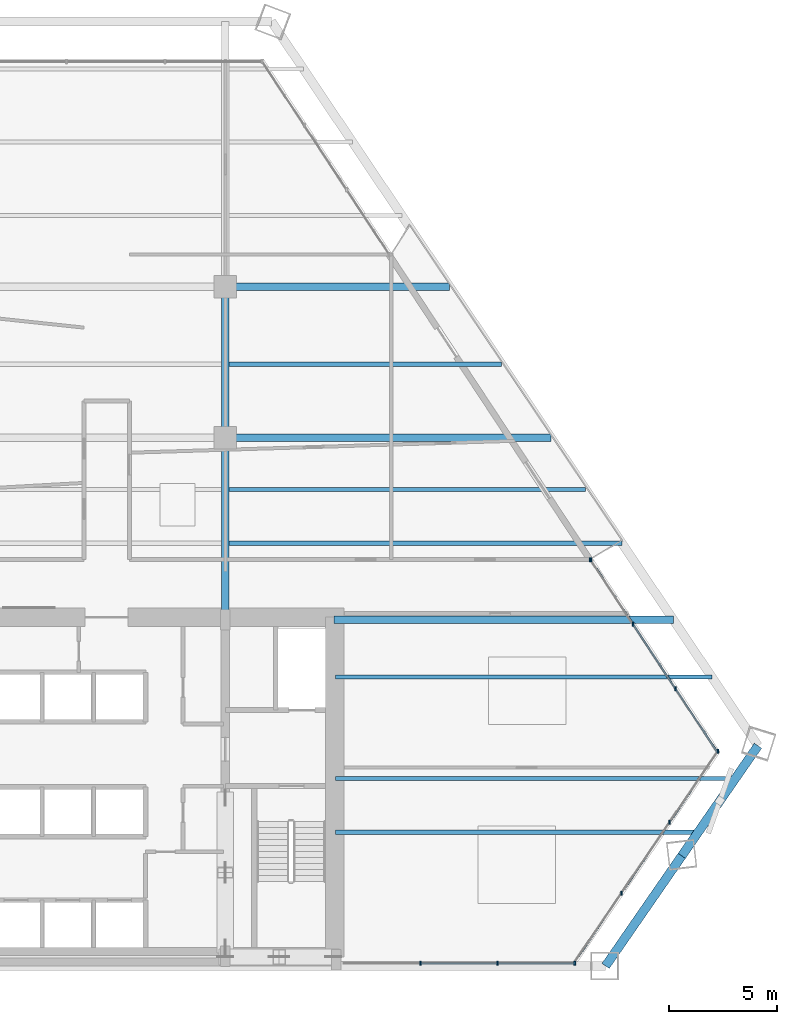
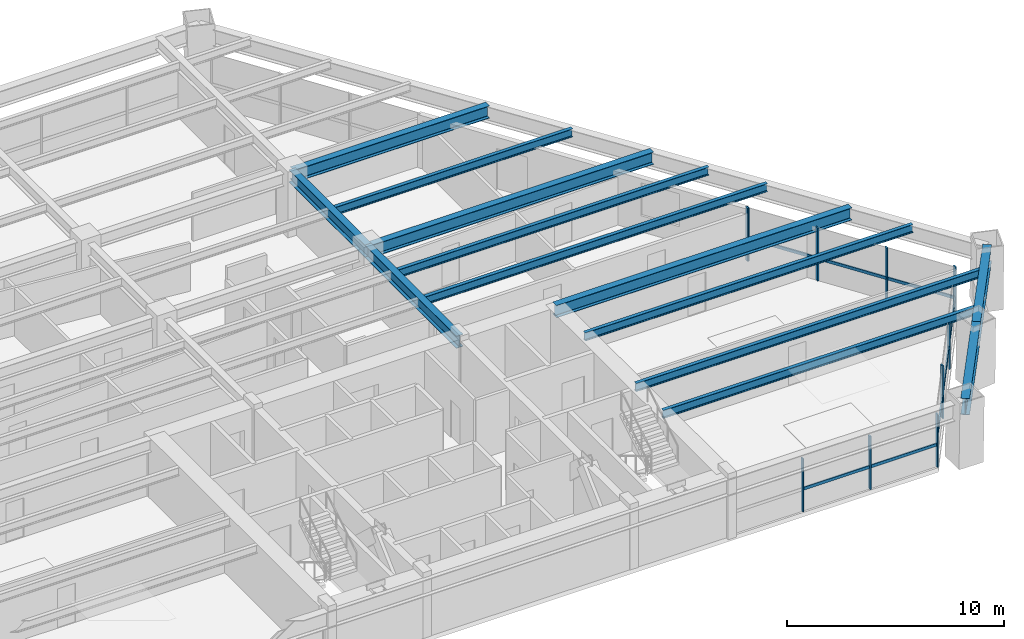
# One storey, part 6 of 14: 18 members, 13 beams, 3 elements without a shape of their own.
"""IFC4 building model written with IfcOpenShell, lengths in metres."""

from ifc_helpers import new_model, si_unit, direction, frame, origin, origin_2d, place, context, subcontext, project, spatial, rectangle, i_section, extrude, source, transform, mapped, material, material_profile, profile_set, type_object, type_shapes, element, aggregate, save


model = new_model("IFC4")

# Units and contexts
model_context = context("Model", 3, precision=1e-05, world=origin(), true_north=direction((0.0, 1.0)))
body_context = subcontext(model_context, "Body", "Model", "MODEL_VIEW")
ifc_project = project(units=[si_unit("LENGTHUNIT", "METRE"), si_unit("AREAUNIT", "SQUARE_METRE"), si_unit("VOLUMEUNIT", "CUBIC_METRE"), si_unit("PLANEANGLEUNIT", "RADIAN"), si_unit("MASSUNIT", "GRAM", prefix="KILO")], contexts=[model_context])

# Site, building, storey
site_placement = place(None, origin())
site = spatial("IfcSite", under=ifc_project, at=site_placement, CompositionType="ELEMENT")
building_placement = place(site_placement, origin())
building = spatial("IfcBuilding", under=site, at=building_placement, Name="Varnakhor Terracotta Tower", CompositionType="ELEMENT")
storey_placement = place(building_placement, frame((0.0, 0.0, 68.199951171875)))
storey = spatial("IfcBuildingStorey", under=building, at=storey_placement, Name="L16", CompositionType="ELEMENT", Elevation=68.199951171875)

# Beams
ifc_material_1 = material(Name="Steel S355", Category="steel")
ifc_material_profile_1 = material_profile(ifc_material_1, i_section(OverallWidth=0.35498046875, OverallDepth=0.695068359375, WebThickness=0.014892578125, FlangeThickness=0.02490234375, FilletRadius=0.01806640625, at=origin_2d()), Name="W27X146")
ifc_profile_set_1 = profile_set([ifc_material_profile_1], Name="Steel S355")
beam_type_1 = type_object("IfcBeamType", Name="BM-W27X146", PredefinedType="BEAM", material=ifc_profile_set_1)
shared_shape_1 = source(origin(), body_context, "Body", "SweptSolid", [
    extrude(i_section(OverallWidth=0.35498046875, OverallDepth=0.695068359375, WebThickness=0.014892578125, FlangeThickness=0.02490234375, FilletRadius=0.01806640625, at=origin_2d()), origin(), (0.0, 0.0, 1.0), 8.449951171875),
])
type_shapes(beam_type_1, [shared_shape_1])
beam_1_placement = place(storey_placement, frame((5.5, 16.050048828125, 3.052490234375), z_axis=(0.0, 1.0, 0.0), x_axis=(-1.0, 0.0, 0.0)))
element("IfcBeam", 1, at=beam_1_placement, inside=storey, type_object=beam_type_1, Name="L16 Primary Girder NS1-E", PredefinedType="BEAM", context=body_context, shape_type="MappedRepresentation", body=[
    mapped(shared_shape_1, transform((0.0, 0.0, 0.0), scale=1.0)),
])
shared_shape_2 = source(origin(), body_context, "Body", "SweptSolid", [
    extrude(i_section(OverallWidth=0.35498046875, OverallDepth=0.695068359375, WebThickness=0.014892578125, FlangeThickness=0.02490234375, FilletRadius=0.01806640625, at=origin_2d()), origin(), (0.0, 0.0, 1.0), 7.0),
])
beam_2_placement = place(storey_placement, frame((5.5, 24.5, 3.052490234375), z_axis=(0.0, 1.0, 0.0), x_axis=(-1.0, 0.0, 0.0)))
element("IfcBeam", 2, at=beam_2_placement, inside=storey, type_object=beam_type_1, Name="L16 Primary Girder NS2-E", PredefinedType="BEAM", context=body_context, shape_type="MappedRepresentation", body=[
    mapped(shared_shape_2, transform((0.0, 0.0, 0.0), scale=1.0)),
])
ifc_material_profile_2 = material_profile(ifc_material_1, i_section(OverallWidth=0.41796875, OverallDepth=0.927001953125, WebThickness=0.01904296875, FlangeThickness=0.031982421875, FilletRadius=0.01806640625, at=origin_2d()), Name="W36X231")
ifc_profile_set_2 = profile_set([ifc_material_profile_2], Name="Steel S355")
beam_type_2 = type_object("IfcBeamType", Name="BM-W36X231", PredefinedType="BEAM", material=ifc_profile_set_2)
shared_shape_3 = source(origin(), body_context, "Body", "SweptSolid", [
    extrude(i_section(OverallWidth=0.41796875, OverallDepth=0.927001953125, WebThickness=0.01904296875, FlangeThickness=0.031982421875, FilletRadius=0.01806640625, at=origin_2d()), origin(), (0.0, 0.0, 1.0), 6.20849609375),
])
beam_3_placement = place(storey_placement, frame((23.135009765625, 0.0, 2.9365234375), z_axis=(0.569054561045, 0.822299766845, 0.0), x_axis=(-0.822299766845, 0.569054561045, 0.0)))
element("IfcBeam", 3, at=beam_3_placement, inside=storey, type_object=beam_type_2, Name="L16 Perimeter Spandrel 2", PredefinedType="BEAM", context=body_context, shape_type="MappedRepresentation", body=[
    mapped(shared_shape_3, transform((0.0, 0.0, 0.0), scale=1.0)),
])
shared_shape_4 = source(origin(), body_context, "Body", "SweptSolid", [
    extrude(i_section(OverallWidth=0.41796875, OverallDepth=0.927001953125, WebThickness=0.01904296875, FlangeThickness=0.031982421875, FilletRadius=0.01806640625, at=origin_2d()), origin(), (0.0, 0.0, 1.0), 6.208251953125),
])
beam_4_placement = place(storey_placement, frame((26.66796875, 5.105224609375, 2.9365234375), z_axis=(0.569046371646, 0.822305434079, 0.0), x_axis=(-0.822305434079, 0.569046371646, 0.0)))
element("IfcBeam", 4, at=beam_4_placement, inside=storey, type_object=beam_type_2, Name="L16 Perimeter Spandrel 3", PredefinedType="BEAM", context=body_context, shape_type="MappedRepresentation", body=[
    mapped(shared_shape_4, transform((0.0, 0.0, 0.0), scale=1.0)),
])
shared_shape_5 = source(origin(), body_context, "Body", "SweptSolid", [
    extrude(i_section(OverallWidth=0.35498046875, OverallDepth=0.695068359375, WebThickness=0.014892578125, FlangeThickness=0.02490234375, FilletRadius=0.01806640625, at=origin_2d()), origin(), (0.0, 0.0, 1.0), 15.728759765625),
])
beam_5_placement = place(storey_placement, frame((10.550048828125, 16.050048828125, 3.052490234375), z_axis=(1.0, 0.0, 0.0), x_axis=(0.0, 1.0, 0.0)))
element("IfcBeam", 5, at=beam_5_placement, inside=storey, type_object=beam_type_1, Name="L16 Wing Girder E", PredefinedType="BEAM", context=body_context, shape_type="MappedRepresentation", body=[
    mapped(shared_shape_5, transform((0.0, 0.0, 0.0), scale=1.0)),
])
shared_shape_6 = source(origin(), body_context, "Body", "SweptSolid", [
    extrude(i_section(OverallWidth=0.35498046875, OverallDepth=0.695068359375, WebThickness=0.014892578125, FlangeThickness=0.02490234375, FilletRadius=0.01806640625, at=origin_2d()), origin(), (0.0, 0.0, 1.0), 15.103515625),
])
beam_6_placement = place(storey_placement, frame((5.5, 24.5, 3.052490234375), z_axis=(1.0, 0.0, 0.0), x_axis=(0.0, 1.0, 0.0)))
element("IfcBeam", 6, at=beam_6_placement, inside=storey, type_object=beam_type_1, Name="L16 Primary Girder EW2-3", PredefinedType="BEAM", context=body_context, shape_type="MappedRepresentation", body=[
    mapped(shared_shape_6, transform((0.0, 0.0, 0.0), scale=1.0)),
])
shared_shape_7 = source(origin(), body_context, "Body", "SweptSolid", [
    extrude(i_section(OverallWidth=0.35498046875, OverallDepth=0.695068359375, WebThickness=0.014892578125, FlangeThickness=0.02490234375, FilletRadius=0.01806640625, at=origin_2d()), origin(), (0.0, 0.0, 1.0), 10.402099609375),
])
beam_7_placement = place(storey_placement, frame((5.5, 31.5, 3.052490234375), z_axis=(1.0, 0.0, 0.0), x_axis=(0.0, 1.0, 0.0)))
element("IfcBeam", 7, at=beam_7_placement, inside=storey, type_object=beam_type_1, Name="L16 Primary Girder EW3-3", PredefinedType="BEAM", context=body_context, shape_type="MappedRepresentation", body=[
    mapped(shared_shape_7, transform((0.0, 0.0, 0.0), scale=1.0)),
])
ifc_material_profile_3 = material_profile(ifc_material_1, i_section(OverallWidth=0.19189453125, OverallDepth=0.462890625, WebThickness=0.010498046875, FlangeThickness=0.017578125, FilletRadius=0.01806640625, at=origin_2d()), Name="W18X60")
ifc_profile_set_3 = profile_set([ifc_material_profile_3], Name="Steel S355")
beam_type_3 = type_object("IfcBeamType", Name="JST-W18X60", PredefinedType="JOIST", material=ifc_profile_set_3)
shared_shape_8 = source(origin(), body_context, "Body", "SweptSolid", [
    extrude(i_section(OverallWidth=0.19189453125, OverallDepth=0.462890625, WebThickness=0.010498046875, FlangeThickness=0.017578125, FilletRadius=0.01806640625, at=origin_2d()), origin(), (0.0, 0.0, 1.0), 16.825439453125),
])
beam_8_placement = place(storey_placement, frame((10.60009765625, 6.199951171875, 3.16845703125), z_axis=(1.0, 0.0, 0.0), x_axis=(0.0, 1.0, 0.0)))
element("IfcBeam", 8, at=beam_8_placement, inside=storey, type_object=beam_type_3, Name="L16 Floor Joist E1", PredefinedType="JOIST", context=body_context, shape_type="MappedRepresentation", body=[
    mapped(shared_shape_8, transform((0.0, 0.0, 0.0), scale=1.0)),
])
shared_shape_9 = source(origin(), body_context, "Body", "SweptSolid", [
    extrude(i_section(OverallWidth=0.19189453125, OverallDepth=0.462890625, WebThickness=0.010498046875, FlangeThickness=0.017578125, FilletRadius=0.01806640625, at=origin_2d()), origin(), (0.0, 0.0, 1.0), 18.5556640625),
])
beam_9_placement = place(storey_placement, frame((10.60009765625, 8.699951171875, 3.16845703125), z_axis=(1.0, 0.0, 0.0), x_axis=(0.0, 1.0, 0.0)))
element("IfcBeam", 9, at=beam_9_placement, inside=storey, type_object=beam_type_3, Name="L16 Floor Joist E2", PredefinedType="JOIST", context=body_context, shape_type="MappedRepresentation", body=[
    mapped(shared_shape_9, transform((0.0, 0.0, 0.0), scale=1.0)),
])
shared_shape_10 = source(origin(), body_context, "Body", "SweptSolid", [
    extrude(i_section(OverallWidth=0.19189453125, OverallDepth=0.462890625, WebThickness=0.010498046875, FlangeThickness=0.017578125, FilletRadius=0.01806640625, at=origin_2d()), origin(), (0.0, 0.0, 1.0), 17.45849609375),
])
beam_10_placement = place(storey_placement, frame((10.60009765625, 13.39990234375, 3.16845703125), z_axis=(1.0, 0.0, 0.0), x_axis=(0.0, 1.0, 0.0)))
element("IfcBeam", 10, at=beam_10_placement, inside=storey, type_object=beam_type_3, Name="L16 Floor Joist E3", PredefinedType="JOIST", context=body_context, shape_type="MappedRepresentation", body=[
    mapped(shared_shape_10, transform((0.0, 0.0, 0.0), scale=1.0)),
])
shared_shape_11 = source(origin(), body_context, "Body", "SweptSolid", [
    extrude(i_section(OverallWidth=0.19189453125, OverallDepth=0.462890625, WebThickness=0.010498046875, FlangeThickness=0.017578125, FilletRadius=0.01806640625, at=origin_2d()), origin(), (0.0, 0.0, 1.0), 18.220947265625),
])
beam_11_placement = place(storey_placement, frame((5.673583984375, 19.60009765625, 3.16845703125), z_axis=(1.0, 0.0, 0.0), x_axis=(0.0, 1.0, 0.0)))
element("IfcBeam", 11, at=beam_11_placement, inside=storey, type_object=beam_type_3, Name="L16 Composite Floor Joist 4-3", PredefinedType="JOIST", context=body_context, shape_type="MappedRepresentation", body=[
    mapped(shared_shape_11, transform((0.0, 0.0, 0.0), scale=1.0)),
])
shared_shape_12 = source(origin(), body_context, "Body", "SweptSolid", [
    extrude(i_section(OverallWidth=0.19189453125, OverallDepth=0.462890625, WebThickness=0.010498046875, FlangeThickness=0.017578125, FilletRadius=0.01806640625, at=origin_2d()), origin(), (0.0, 0.0, 1.0), 16.541748046875),
])
beam_12_placement = place(storey_placement, frame((5.673583984375, 22.10009765625, 3.16845703125), z_axis=(1.0, 0.0, 0.0), x_axis=(0.0, 1.0, 0.0)))
element("IfcBeam", 12, at=beam_12_placement, inside=storey, type_object=beam_type_3, Name="L16 Composite Floor Joist 5-3", PredefinedType="JOIST", context=body_context, shape_type="MappedRepresentation", body=[
    mapped(shared_shape_12, transform((0.0, 0.0, 0.0), scale=1.0)),
])
shared_shape_13 = source(origin(), body_context, "Body", "SweptSolid", [
    extrude(i_section(OverallWidth=0.19189453125, OverallDepth=0.462890625, WebThickness=0.010498046875, FlangeThickness=0.017578125, FilletRadius=0.01806640625, at=origin_2d()), origin(), (0.0, 0.0, 1.0), 12.646484375),
])
beam_13_placement = place(storey_placement, frame((5.673583984375, 27.89990234375, 3.16845703125), z_axis=(1.0, 0.0, 0.0), x_axis=(0.0, 1.0, 0.0)))
element("IfcBeam", 13, at=beam_13_placement, inside=storey, type_object=beam_type_3, Name="L16 Composite Floor Joist 6-3", PredefinedType="JOIST", context=body_context, shape_type="MappedRepresentation", body=[
    mapped(shared_shape_13, transform((0.0, 0.0, 0.0), scale=1.0)),
])

# Curtain wall, members
ifc_material_2 = material(Name="Anodised Aluminium Curtain Wall System", Category="aluminium")
curtain_wall_type = type_object("IfcCurtainWallType", Name="CW-SYS-LOW-OFFICE", PredefinedType="NOTDEFINED", material=ifc_material_2)
curtain_wall_1_placement = place(storey_placement, origin())
curtain_wall_1 = element("IfcCurtainWall", 14, at=curtain_wall_1_placement, inside=storey, type_object=curtain_wall_type, Name="L16 E Facet Curtain Wall 2", PredefinedType="NOTDEFINED")
ifc_material_3 = material(Name="Anodised Aluminium 6063-T6", Category="aluminium")
ifc_material_profile_4 = material_profile(ifc_material_3, rectangle(XDim=0.074951171875, YDim=0.18505859375, at=origin_2d()), Name="ALU MULLION 75x185")
ifc_profile_set_4 = profile_set([ifc_material_profile_4], Name="Anodised Aluminium 6063-T6")
member_type_1 = type_object("IfcMemberType", Name="CWM-02", PredefinedType="MULLION", material=ifc_profile_set_4)
shared_shape_14 = source(origin(), body_context, "Body", "SweptSolid", [
    extrude(rectangle(XDim=0.074951171875, YDim=0.18505859375, at=origin_2d()), origin(), (0.0, 0.0, 1.0), 2.97998046875),
])
member_1_placement = place(storey_placement, frame((22.44482421875, 18.82666015625, 0.0), z_axis=(0.0, 0.0, 1.0), x_axis=(1.0, 0.0, 0.0)))
member_1 = element("IfcMember", 15, at=member_1_placement, type_object=member_type_1, Name="L16 E Facet Curtain Wall 2 Mullion 1", PredefinedType="MULLION", context=body_context, shape_type="MappedRepresentation", body=[
    mapped(shared_shape_14, transform((0.0, 0.0, 0.0), scale=1.0)),
])
member_2_placement = place(storey_placement, frame((24.40966796875, 15.84521484375, 0.0), z_axis=(0.0, 0.0, 1.0), x_axis=(1.0, 0.0, 0.0)))
member_2 = element("IfcMember", 16, at=member_2_placement, type_object=member_type_1, Name="L16 E Facet Curtain Wall 2 Mullion 2", PredefinedType="MULLION", context=body_context, shape_type="MappedRepresentation", body=[
    mapped(shared_shape_14, transform((0.0, 0.0, 0.0), scale=1.0)),
])
member_3_placement = place(storey_placement, frame((26.374267578125, 12.86376953125, 0.0), z_axis=(0.0, 0.0, 1.0), x_axis=(1.0, 0.0, 0.0)))
member_3 = element("IfcMember", 17, at=member_3_placement, type_object=member_type_1, Name="L16 E Facet Curtain Wall 2 Mullion 3", PredefinedType="MULLION", context=body_context, shape_type="MappedRepresentation", body=[
    mapped(shared_shape_14, transform((0.0, 0.0, 0.0), scale=1.0)),
])
member_4_placement = place(storey_placement, frame((22.41162109375, 18.8408203125, 0.0), z_axis=(0.0, 0.0, 1.0), x_axis=(1.0, 0.0, 0.0)))
member_4 = element("IfcMember", 18, at=member_4_placement, type_object=member_type_1, Name="L16 E Loggia Jamb Closure Mullion 2", PredefinedType="MULLION", context=body_context, shape_type="MappedRepresentation", body=[
    mapped(shared_shape_14, transform((0.0, 0.0, 0.0), scale=1.0)),
])

curtain_wall_2_placement = place(storey_placement, origin())
curtain_wall_2 = element("IfcCurtainWall", 19, at=curtain_wall_2_placement, inside=storey, type_object=curtain_wall_type, Name="L16 Facet Curtain Wall 4", PredefinedType="NOTDEFINED")
member_5_placement = place(storey_placement, frame((28.339599609375, 9.9658203125, 0.0), z_axis=(0.0, 0.0, 1.0), x_axis=(1.0, 0.0, 0.0)))
member_5 = element("IfcMember", 20, at=member_5_placement, type_object=member_type_1, Name="L16 Facet Curtain Wall 4 Mullion 1", PredefinedType="MULLION", context=body_context, shape_type="MappedRepresentation", body=[
    mapped(shared_shape_14, transform((0.0, 0.0, 0.0), scale=1.0)),
])
member_6_placement = place(storey_placement, frame((26.10498046875, 6.674560546875, 0.0), z_axis=(0.0, 0.0, 1.0), x_axis=(1.0, 0.0, 0.0)))
member_6 = element("IfcMember", 21, at=member_6_placement, type_object=member_type_1, Name="L16 Facet Curtain Wall 4 Mullion 2", PredefinedType="MULLION", context=body_context, shape_type="MappedRepresentation", body=[
    mapped(shared_shape_14, transform((0.0, 0.0, 0.0), scale=1.0)),
])
member_7_placement = place(storey_placement, frame((23.8701171875, 3.38330078125, 0.0), z_axis=(0.0, 0.0, 1.0), x_axis=(1.0, 0.0, 0.0)))
member_7 = element("IfcMember", 22, at=member_7_placement, type_object=member_type_1, Name="L16 Facet Curtain Wall 4 Mullion 3", PredefinedType="MULLION", context=body_context, shape_type="MappedRepresentation", body=[
    mapped(shared_shape_14, transform((0.0, 0.0, 0.0), scale=1.0)),
])

curtain_wall_3_placement = place(storey_placement, origin())
curtain_wall_3 = element("IfcCurtainWall", 23, at=curtain_wall_3_placement, inside=storey, type_object=curtain_wall_type, Name="L16 South Wing Curtain Wall SSE", PredefinedType="NOTDEFINED")
member_8_placement = place(storey_placement, frame((21.7080078125, 0.1201171875, 0.0), z_axis=(0.0, 0.0, 1.0), x_axis=(1.0, 0.0, 0.0)))
member_8 = element("IfcMember", 24, at=member_8_placement, type_object=member_type_1, Name="L16 South Wing Curtain Wall SSE Mullion 1", PredefinedType="MULLION", context=body_context, shape_type="MappedRepresentation", body=[
    mapped(shared_shape_14, transform((0.0, 0.0, 0.0), scale=1.0)),
])
member_9_placement = place(storey_placement, frame((18.128662109375, 0.1201171875, 0.0), z_axis=(0.0, 0.0, 1.0), x_axis=(1.0, 0.0, 0.0)))
member_9 = element("IfcMember", 25, at=member_9_placement, type_object=member_type_1, Name="L16 South Wing Curtain Wall SSE Mullion 2", PredefinedType="MULLION", context=body_context, shape_type="MappedRepresentation", body=[
    mapped(shared_shape_14, transform((0.0, 0.0, 0.0), scale=1.0)),
])
member_10_placement = place(storey_placement, frame((14.54931640625, 0.1201171875, 0.0), z_axis=(0.0, 0.0, 1.0), x_axis=(1.0, 0.0, 0.0)))
member_10 = element("IfcMember", 26, at=member_10_placement, type_object=member_type_1, Name="L16 South Wing Curtain Wall SSE Mullion 3", PredefinedType="MULLION", context=body_context, shape_type="MappedRepresentation", body=[
    mapped(shared_shape_14, transform((0.0, 0.0, 0.0), scale=1.0)),
])

# Member
ifc_material_profile_5 = material_profile(ifc_material_3, rectangle(XDim=0.074951171875, YDim=0.1650390625, at=origin_2d()), Name="ALU TRANSOM 75x165")
ifc_profile_set_5 = profile_set([ifc_material_profile_5], Name="Anodised Aluminium 6063-T6")
member_type_2 = type_object("IfcMemberType", Name="CWT-02", PredefinedType="USERDEFINED", material=ifc_profile_set_5)
shared_shape_15 = source(origin(), body_context, "Body", "SweptSolid", [
    extrude(rectangle(XDim=0.074951171875, YDim=0.1650390625, at=origin_2d()), origin(), (0.0, 0.0, 1.0), 3.57080078125),
])
member_11_placement = place(storey_placement, frame((26.374267578125, 12.86376953125, 1.251708984375), z_axis=(0.550242946557, -0.835004610624, 0.0), x_axis=(0.835004610624, 0.550242946557, 0.0)))
member_11 = element("IfcMember", 27, at=member_11_placement, type_object=member_type_2, Name="L16 E Facet Curtain Wall 2 Transom 3", ObjectType="TRANSOM", PredefinedType="USERDEFINED", context=body_context, shape_type="MappedRepresentation", body=[
    mapped(shared_shape_15, transform((0.0, 0.0, 0.0), scale=1.0)),
])

shared_shape_16 = source(origin(), body_context, "Body", "SweptSolid", [
    extrude(rectangle(XDim=0.074951171875, YDim=0.1650390625, at=origin_2d()), origin(), (0.0, 0.0, 1.0), 3.570556640625),
])
member_12_placement = place(storey_placement, frame((22.44482421875, 18.82666015625, 1.251708984375), z_axis=(0.550274360995, -0.834983908607, 0.0), x_axis=(0.834983908607, 0.550274360995, 0.0)))
member_12 = element("IfcMember", 28, at=member_12_placement, type_object=member_type_2, Name="L16 E Facet Curtain Wall 2 Transom 1", ObjectType="TRANSOM", PredefinedType="USERDEFINED", context=body_context, shape_type="MappedRepresentation", body=[
    mapped(shared_shape_16, transform((0.0, 0.0, 0.0), scale=1.0)),
])

member_13_placement = place(storey_placement, frame((24.40966796875, 15.84521484375, 1.251708984375), z_axis=(0.550226688044, -0.835015324269, 0.0), x_axis=(0.835015324269, 0.550226688044, 0.0)))
member_13 = element("IfcMember", 29, at=member_13_placement, type_object=member_type_2, Name="L16 E Facet Curtain Wall 2 Transom 2", ObjectType="TRANSOM", PredefinedType="USERDEFINED", context=body_context, shape_type="MappedRepresentation", body=[
    mapped(shared_shape_16, transform((0.0, 0.0, 0.0), scale=1.0)),
])

aggregate(curtain_wall_1, [member_1, member_12, member_2, member_13, member_3, member_11, member_4])

shared_shape_17 = source(origin(), body_context, "Body", "SweptSolid", [
    extrude(rectangle(XDim=0.074951171875, YDim=0.1650390625, at=origin_2d()), origin(), (0.0, 0.0, 1.0), 3.978271484375),
])
member_14_placement = place(storey_placement, frame((28.339599609375, 9.9658203125, 1.251708984375), z_axis=(-0.561719007596, -0.827328082749, 0.0), x_axis=(0.827328082749, -0.561719007596, 0.0)))
member_14 = element("IfcMember", 30, at=member_14_placement, type_object=member_type_2, Name="L16 Facet Curtain Wall 4 Transom 1", ObjectType="TRANSOM", PredefinedType="USERDEFINED", context=body_context, shape_type="MappedRepresentation", body=[
    mapped(shared_shape_17, transform((0.0, 0.0, 0.0), scale=1.0)),
])

member_15_placement = place(storey_placement, frame((26.10498046875, 6.674560546875, 1.251708984375), z_axis=(-0.561761011411, -0.827299562467, 0.0), x_axis=(0.827299562467, -0.561761011411, 0.0)))
member_15 = element("IfcMember", 31, at=member_15_placement, type_object=member_type_2, Name="L16 Facet Curtain Wall 4 Transom 2", ObjectType="TRANSOM", PredefinedType="USERDEFINED", context=body_context, shape_type="MappedRepresentation", body=[
    mapped(shared_shape_17, transform((0.0, 0.0, 0.0), scale=1.0)),
])

shared_shape_18 = source(origin(), body_context, "Body", "SweptSolid", [
    extrude(rectangle(XDim=0.074951171875, YDim=0.1650390625, at=origin_2d()), origin(), (0.0, 0.0, 1.0), 3.97802734375),
])
member_16_placement = place(storey_placement, frame((23.8701171875, 3.38330078125, 1.251708984375), z_axis=(-0.561747528909, -0.827308717327, 0.0), x_axis=(0.827308717327, -0.561747528909, 0.0)))
member_16 = element("IfcMember", 32, at=member_16_placement, type_object=member_type_2, Name="L16 Facet Curtain Wall 4 Transom 3", ObjectType="TRANSOM", PredefinedType="USERDEFINED", context=body_context, shape_type="MappedRepresentation", body=[
    mapped(shared_shape_18, transform((0.0, 0.0, 0.0), scale=1.0)),
])

aggregate(curtain_wall_2, [member_5, member_14, member_6, member_15, member_7, member_16])

shared_shape_19 = source(origin(), body_context, "Body", "SweptSolid", [
    extrude(rectangle(XDim=0.074951171875, YDim=0.1650390625, at=origin_2d()), origin(), (0.0, 0.0, 1.0), 3.579345703125),
])
member_17_placement = place(storey_placement, frame((21.7080078125, 0.1201171875, 1.251708984375), z_axis=(-1.0, 0.0, 0.0), x_axis=(0.0, -1.0, 0.0)))
member_17 = element("IfcMember", 33, at=member_17_placement, type_object=member_type_2, Name="L16 South Wing Curtain Wall SSE Transom 1", ObjectType="TRANSOM", PredefinedType="USERDEFINED", context=body_context, shape_type="MappedRepresentation", body=[
    mapped(shared_shape_19, transform((0.0, 0.0, 0.0), scale=1.0)),
])

member_18_placement = place(storey_placement, frame((18.128662109375, 0.1201171875, 1.251708984375), z_axis=(-1.0, 0.0, 0.0), x_axis=(0.0, -1.0, 0.0)))
member_18 = element("IfcMember", 34, at=member_18_placement, type_object=member_type_2, Name="L16 South Wing Curtain Wall SSE Transom 2", ObjectType="TRANSOM", PredefinedType="USERDEFINED", context=body_context, shape_type="MappedRepresentation", body=[
    mapped(shared_shape_19, transform((0.0, 0.0, 0.0), scale=1.0)),
])

aggregate(curtain_wall_3, [member_8, member_17, member_9, member_18, member_10])

save(model, "model.ifc")
